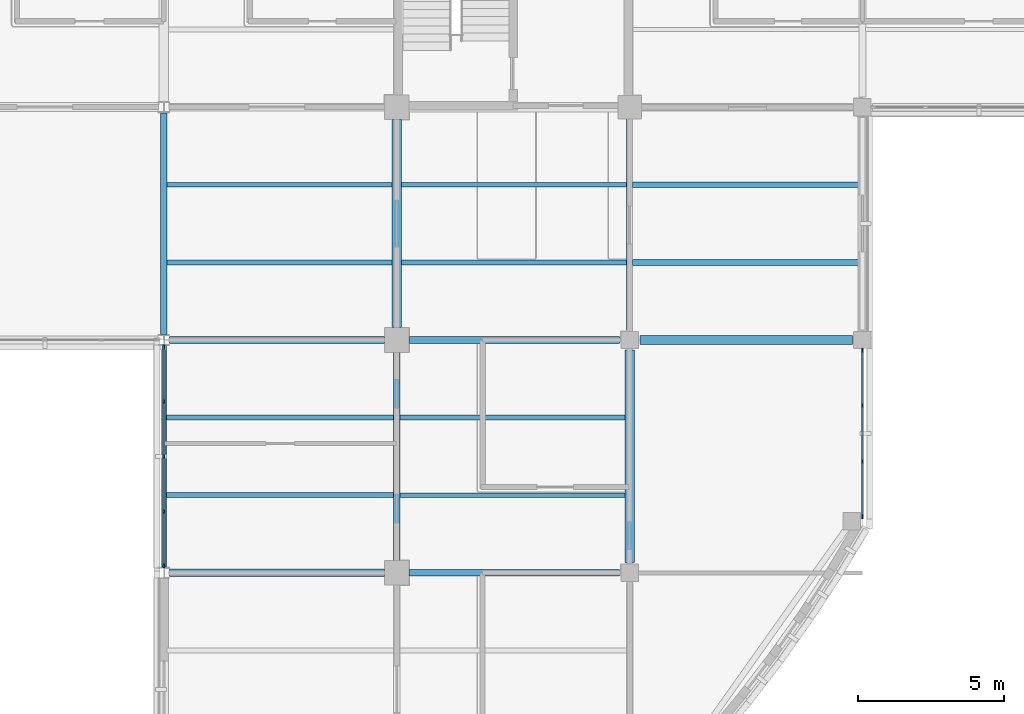
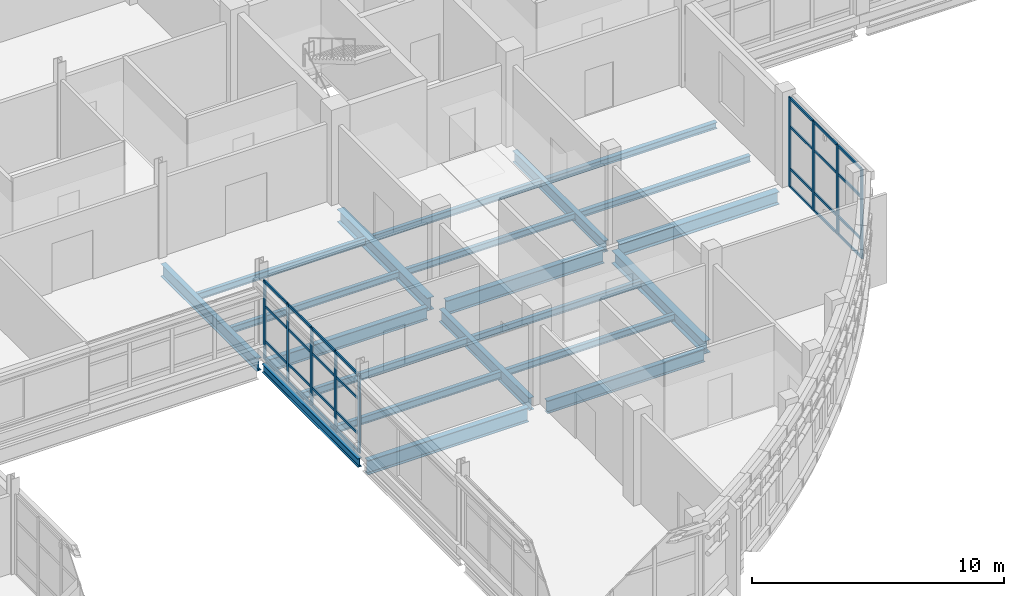
# One storey, part 28 of 121: 37 members, 21 beams, 2 elements without a shape of their own.
"""IFC4 building model written with IfcOpenShell, lengths in metres."""

from ifc_helpers import new_model, si_unit, derived_unit, direction, frame, origin, origin_2d, place, context, subcontext, project, spatial, rectangle, i_section, extrude, material, layer, layer_set, material_profile, profile_set, type_object, element, aggregate, save


model = new_model("IFC4")

# Units and contexts
model_context = context("Model", 3, precision=1e-05, world=origin(), true_north=direction((0.0, 1.0)))
body_context = subcontext(model_context, "Body", "Model", "MODEL_VIEW")
ifc_project = project(units=[si_unit("LENGTHUNIT", "METRE"), si_unit("AREAUNIT", "SQUARE_METRE"), si_unit("VOLUMEUNIT", "CUBIC_METRE"), si_unit("PLANEANGLEUNIT", "RADIAN"), si_unit("MASSUNIT", "GRAM", prefix="KILO"), derived_unit("THERMALTRANSMITTANCEUNIT", [(si_unit("MASSUNIT", "GRAM", prefix="KILO"), 1), (si_unit("TIMEUNIT", "SECOND"), -3), (si_unit("THERMODYNAMICTEMPERATUREUNIT", "KELVIN"), -1)])], contexts=[model_context])

# Site, building, storey
site_placement = place(None, origin())
site = spatial("IfcSite", under=ifc_project, at=site_placement, CompositionType="ELEMENT")
building_placement = place(site_placement, origin())
building = spatial("IfcBuilding", under=site, at=building_placement, Name="Veyamyaing Civic Hall", CompositionType="ELEMENT")
storey_placement = place(building_placement, frame((0.0, 0.0, 5.280029296875)))
storey = spatial("IfcBuildingStorey", under=building, at=storey_placement, Name="L01", CompositionType="ELEMENT", Elevation=5.280029296875)

# Beams
ifc_material_1 = material(Name="Steel ASTM A992", Category="steel")
ifc_material_profile_1 = material_profile(ifc_material_1, i_section(OverallWidth=0.256103515625, OverallDepth=0.693115234375, WebThickness=0.014404296875, FlangeThickness=0.023681640625, FilletRadius=0.013916015625, at=origin_2d()), Name="W690X170")
ifc_profile_set_1 = profile_set([ifc_material_profile_1], Name="Steel ASTM A992")
beam_type_1 = type_object("IfcBeamType", Name="B-04", PredefinedType="BEAM", material=ifc_profile_set_1)
beam_1_placement = place(storey_placement, frame((96.198974609375, 32.0, -0.591552734375), z_axis=(1.0, 0.0, 0.0), x_axis=(0.0, 1.0, 0.0)))
element("IfcBeam", 1, at=beam_1_placement, inside=storey, type_object=beam_type_1, Name="Girder B-04 L01 Grid E 13-14", PredefinedType="BEAM", context=body_context, shape_type="SweptSolid", body=[
    extrude(i_section(OverallWidth=0.256103515625, OverallDepth=0.693115234375, WebThickness=0.014404296875, FlangeThickness=0.023681640625, FilletRadius=0.013916015625, at=origin_2d()), origin(), (0.0, 0.0, 1.0), 7.3759765625),
])
ifc_material_profile_2 = material_profile(ifc_material_1, i_section(OverallWidth=0.22998046875, OverallDepth=0.616943359375, WebThickness=0.01318359375, FlangeThickness=0.022216796875, FilletRadius=0.012939453125, at=origin_2d()), Name="W610X140")
ifc_profile_set_2 = profile_set([ifc_material_profile_2], Name="Steel ASTM A992")
beam_type_2 = type_object("IfcBeamType", Name="B-05", PredefinedType="BEAM", material=ifc_profile_set_2)
beam_2_placement = place(storey_placement, frame((104.425048828125, 32.0, -0.553466796875), z_axis=(1.0, 0.0, 0.0), x_axis=(0.0, 1.0, 0.0)))
element("IfcBeam", 2, at=beam_2_placement, inside=storey, type_object=beam_type_2, Name="Girder B-05 L01 Grid E 14-15", PredefinedType="BEAM", context=body_context, shape_type="SweptSolid", body=[
    extrude(i_section(OverallWidth=0.22998046875, OverallDepth=0.616943359375, WebThickness=0.01318359375, FlangeThickness=0.022216796875, FilletRadius=0.012939453125, at=origin_2d()), origin(), (0.0, 0.0, 1.0), 7.224853515625),
])
beam_3_placement = place(storey_placement, frame((96.198974609375, 40.0, -0.553466796875), z_axis=(1.0, 0.0, 0.0), x_axis=(0.0, 1.0, 0.0)))
element("IfcBeam", 3, at=beam_3_placement, inside=storey, type_object=beam_type_2, Name="Girder B-05 L01 Grid F 13-14", PredefinedType="BEAM", context=body_context, shape_type="SweptSolid", body=[
    extrude(i_section(OverallWidth=0.22998046875, OverallDepth=0.616943359375, WebThickness=0.01318359375, FlangeThickness=0.022216796875, FilletRadius=0.012939453125, at=origin_2d()), origin(), (0.0, 0.0, 1.0), 7.3759765625),
])
ifc_material_profile_3 = material_profile(ifc_material_1, i_section(OverallWidth=0.22802734375, OverallDepth=0.60791015625, WebThickness=0.01123046875, FlangeThickness=0.017333984375, FilletRadius=0.012939453125, at=origin_2d()), Name="W610X113")
ifc_profile_set_3 = profile_set([ifc_material_profile_3], Name="Steel ASTM A992")
beam_type_3 = type_object("IfcBeamType", Name="B-06", PredefinedType="BEAM", material=ifc_profile_set_3)
beam_4_placement = place(storey_placement, frame((96.0, 40.193603515625, -0.549072265625), z_axis=(0.0, 1.0, 0.0), x_axis=(-1.0, 0.0, 0.0)))
element("IfcBeam", 4, at=beam_4_placement, inside=storey, type_object=beam_type_3, Name="Girder B-06 L01 Grid 13 F-G", PredefinedType="BEAM", context=body_context, shape_type="SweptSolid", body=[
    extrude(i_section(OverallWidth=0.22802734375, OverallDepth=0.60791015625, WebThickness=0.01123046875, FlangeThickness=0.017333984375, FilletRadius=0.012939453125, at=origin_2d()), origin(), (0.0, 0.0, 1.0), 7.61279296875),
])
beam_5_placement = place(storey_placement, frame((104.0, 32.425048828125, -0.549072265625), z_axis=(0.0, 1.0, 0.0), x_axis=(-1.0, 0.0, 0.0)))
element("IfcBeam", 5, at=beam_5_placement, inside=storey, type_object=beam_type_3, Name="Girder B-06 L01 Grid 14 E-F", PredefinedType="BEAM", context=body_context, shape_type="SweptSolid", body=[
    extrude(i_section(OverallWidth=0.22802734375, OverallDepth=0.60791015625, WebThickness=0.01123046875, FlangeThickness=0.017333984375, FilletRadius=0.012939453125, at=origin_2d()), origin(), (0.0, 0.0, 1.0), 7.14990234375),
])
ifc_material_profile_4 = material_profile(ifc_material_1, i_section(OverallWidth=0.25390625, OverallDepth=0.68408203125, WebThickness=0.012451171875, FlangeThickness=0.01904296875, FilletRadius=0.013916015625, at=origin_2d()), Name="W690X140")
ifc_profile_set_4 = profile_set([ifc_material_profile_4], Name="Steel ASTM A992")
beam_type_4 = type_object("IfcBeamType", Name="B-14", PredefinedType="BEAM", material=ifc_profile_set_4)
beam_6_placement = place(storey_placement, frame((104.425048828125, 40.0, -0.5869140625), z_axis=(1.0, 0.0, 0.0), x_axis=(0.0, 1.0, 0.0)))
element("IfcBeam", 6, at=beam_6_placement, inside=storey, type_object=beam_type_4, Name="Girder B-14 L01 Grid F 14-15", PredefinedType="BEAM", context=body_context, shape_type="SweptSolid", body=[
    extrude(i_section(OverallWidth=0.25390625, OverallDepth=0.68408203125, WebThickness=0.012451171875, FlangeThickness=0.01904296875, FilletRadius=0.013916015625, at=origin_2d()), origin(), (0.0, 0.0, 1.0), 7.224853515625),
])
ifc_material_profile_5 = material_profile(ifc_material_1, i_section(OverallWidth=0.324951171875, OverallDepth=0.615966796875, WebThickness=0.013916015625, FlangeThickness=0.021484375, FilletRadius=0.013916015625, at=origin_2d()), Name="W610X174")
ifc_profile_set_5 = profile_set([ifc_material_profile_5], Name="Steel ASTM A992")
beam_type_5 = type_object("IfcBeamType", Name="B-15", PredefinedType="BEAM", material=ifc_profile_set_5)
beam_7_placement = place(storey_placement, frame((112.35009765625, 40.0, -0.552978515625), z_axis=(1.0, 0.0, 0.0), x_axis=(0.0, 1.0, 0.0)))
element("IfcBeam", 7, at=beam_7_placement, inside=storey, type_object=beam_type_5, Name="Girder B-15 L01 Grid F 15-16", PredefinedType="BEAM", context=body_context, shape_type="SweptSolid", body=[
    extrude(i_section(OverallWidth=0.324951171875, OverallDepth=0.615966796875, WebThickness=0.013916015625, FlangeThickness=0.021484375, FilletRadius=0.013916015625, at=origin_2d()), origin(), (0.0, 0.0, 1.0), 7.2998046875),
])
beam_8_placement = place(storey_placement, frame((104.0, 40.425048828125, -0.552978515625), z_axis=(0.0, 1.0, 0.0), x_axis=(-1.0, 0.0, 0.0)))
element("IfcBeam", 8, at=beam_8_placement, inside=storey, type_object=beam_type_5, Name="Girder B-15 L01 Grid 14 F-G", PredefinedType="BEAM", context=body_context, shape_type="SweptSolid", body=[
    extrude(i_section(OverallWidth=0.324951171875, OverallDepth=0.615966796875, WebThickness=0.013916015625, FlangeThickness=0.021484375, FilletRadius=0.013916015625, at=origin_2d()), origin(), (0.0, 0.0, 1.0), 7.14990234375),
])
beam_9_placement = place(storey_placement, frame((112.0, 32.35009765625, -0.552978515625), z_axis=(0.0, 1.0, 0.0), x_axis=(-1.0, 0.0, 0.0)))
element("IfcBeam", 9, at=beam_9_placement, inside=storey, type_object=beam_type_5, Name="Girder B-15 L01 Grid 15 E-F", PredefinedType="BEAM", context=body_context, shape_type="SweptSolid", body=[
    extrude(i_section(OverallWidth=0.324951171875, OverallDepth=0.615966796875, WebThickness=0.013916015625, FlangeThickness=0.021484375, FilletRadius=0.013916015625, at=origin_2d()), origin(), (0.0, 0.0, 1.0), 7.2998046875),
])
ifc_material_profile_6 = material_profile(ifc_material_1, i_section(OverallWidth=0.214111328125, OverallDepth=0.549072265625, WebThickness=0.0146484375, FlangeThickness=0.023681640625, FilletRadius=0.011962890625, at=origin_2d()), Name="W530X138")
ifc_profile_set_6 = profile_set([ifc_material_profile_6], Name="Steel ASTM A992")
beam_type_6 = type_object("IfcBeamType", Name="B-16", PredefinedType="BEAM", material=ifc_profile_set_6)
beam_10_placement = place(storey_placement, frame((112.0, 40.35009765625, -0.51953125), z_axis=(0.0, 1.0, 0.0), x_axis=(-1.0, 0.0, 0.0)))
element("IfcBeam", 10, at=beam_10_placement, inside=storey, type_object=beam_type_6, Name="Girder B-16 L01 Grid 15 F-G", PredefinedType="BEAM", context=body_context, shape_type="SweptSolid", body=[
    extrude(i_section(OverallWidth=0.214111328125, OverallDepth=0.549072265625, WebThickness=0.0146484375, FlangeThickness=0.023681640625, FilletRadius=0.011962890625, at=origin_2d()), origin(), (0.0, 0.0, 1.0), 7.25),
])
ifc_material_profile_7 = material_profile(ifc_material_1, i_section(OverallWidth=0.180908203125, OverallDepth=0.4169921875, WebThickness=0.010986328125, FlangeThickness=0.018310546875, FilletRadius=0.010009765625, at=origin_2d()), Name="W410X85")
ifc_profile_set_7 = profile_set([ifc_material_profile_7], Name="Steel ASTM A992")
beam_type_7 = type_object("IfcBeamType", Name="B-19", PredefinedType="SPANDREL", material=ifc_profile_set_7)
beam_11_placement = place(storey_placement, frame((96.0, 32.193603515625, -0.45361328125), z_axis=(0.0, 1.0, 0.0), x_axis=(-1.0, 0.0, 0.0)))
element("IfcBeam", 11, at=beam_11_placement, inside=storey, type_object=beam_type_7, Name="Girder B-19 L01 Grid 13 E-F", PredefinedType="SPANDREL", context=body_context, shape_type="SweptSolid", body=[
    extrude(i_section(OverallWidth=0.180908203125, OverallDepth=0.4169921875, WebThickness=0.010986328125, FlangeThickness=0.018310546875, FilletRadius=0.010009765625, at=origin_2d()), origin(), (0.0, 0.0, 1.0), 7.61279296875),
])

# Curtain wall, members
ifc_material_2 = material(Name="Anodised aluminium 6063-T6", Category="aluminium")
ifc_layer = layer(ifc_material_2, 0.159912109375, Name="Anodised aluminium 6063-T6")
ifc_layer_set = layer_set([ifc_layer], Name="Anodised aluminium 6063-T6")
curtain_wall_type = type_object("IfcCurtainWallType", Name="CW-02", PredefinedType="NOTDEFINED", material=ifc_layer_set)
curtain_wall_1_placement = place(storey_placement, origin())
curtain_wall_1 = element("IfcCurtainWall", 12, at=curtain_wall_1_placement, inside=storey, type_object=curtain_wall_type, Name="Unitized curtain wall CW-02 L01 W 13.5", PredefinedType="NOTDEFINED")
ifc_material_profile_8 = material_profile(ifc_material_2, rectangle(XDim=0.06494140625, YDim=0.159912109375, at=origin_2d()), Name="ALU-MUL-65X160")
ifc_profile_set_8 = profile_set([ifc_material_profile_8], Name="Anodised aluminium 6063-T6")
member_type_1 = type_object("IfcMemberType", Name="CWM-01", PredefinedType="MULLION", material=ifc_profile_set_8)
member_1_placement = place(storey_placement, frame((96.0, 32.24853515625, 0.0), z_axis=(0.0, 0.0, 1.0), x_axis=(-1.0, 0.0, 0.0)))
member_1 = element("IfcMember", 13, at=member_1_placement, type_object=member_type_1, Name="CW-02 mullion 1", PredefinedType="MULLION", context=body_context, shape_type="SweptSolid", body=[
    extrude(rectangle(XDim=0.06494140625, YDim=0.159912109375, at=origin_2d()), origin(), (0.0, 0.0, 1.0), 3.7939453125),
])
member_2_placement = place(storey_placement, frame((96.0, 34.10791015625, 0.0), z_axis=(0.0, 0.0, 1.0), x_axis=(-1.0, 0.0, 0.0)))
member_2 = element("IfcMember", 14, at=member_2_placement, type_object=member_type_1, Name="CW-02 mullion 2", PredefinedType="MULLION", context=body_context, shape_type="SweptSolid", body=[
    extrude(rectangle(XDim=0.06494140625, YDim=0.159912109375, at=origin_2d()), origin(), (0.0, 0.0, 1.0), 3.7939453125),
])
member_3_placement = place(storey_placement, frame((96.0, 36.0, 0.0), z_axis=(0.0, 0.0, 1.0), x_axis=(-1.0, 0.0, 0.0)))
member_3 = element("IfcMember", 15, at=member_3_placement, type_object=member_type_1, Name="CW-02 mullion 3", PredefinedType="MULLION", context=body_context, shape_type="SweptSolid", body=[
    extrude(rectangle(XDim=0.06494140625, YDim=0.159912109375, at=origin_2d()), origin(), (0.0, 0.0, 1.0), 3.7939453125),
])
member_4_placement = place(storey_placement, frame((96.0, 37.89208984375, 0.0), z_axis=(0.0, 0.0, 1.0), x_axis=(-1.0, 0.0, 0.0)))
member_4 = element("IfcMember", 16, at=member_4_placement, type_object=member_type_1, Name="CW-02 mullion 4", PredefinedType="MULLION", context=body_context, shape_type="SweptSolid", body=[
    extrude(rectangle(XDim=0.06494140625, YDim=0.159912109375, at=origin_2d()), origin(), (0.0, 0.0, 1.0), 3.7939453125),
])
member_5_placement = place(storey_placement, frame((96.0, 39.75146484375, 0.0), z_axis=(0.0, 0.0, 1.0), x_axis=(-1.0, 0.0, 0.0)))
member_5 = element("IfcMember", 17, at=member_5_placement, type_object=member_type_1, Name="CW-02 mullion 5", PredefinedType="MULLION", context=body_context, shape_type="SweptSolid", body=[
    extrude(rectangle(XDim=0.06494140625, YDim=0.159912109375, at=origin_2d()), origin(), (0.0, 0.0, 1.0), 3.7939453125),
])

curtain_wall_2_placement = place(storey_placement, origin())
curtain_wall_2 = element("IfcCurtainWall", 18, at=curtain_wall_2_placement, inside=storey, type_object=curtain_wall_type, Name="Unitized curtain wall CW-02 L01 E 15.5", PredefinedType="NOTDEFINED")
member_6_placement = place(storey_placement, frame((120.0, 33.931640625, 0.0), z_axis=(0.0, 0.0, 1.0), x_axis=(-1.0, 0.0, 0.0)))
member_6 = element("IfcMember", 19, at=member_6_placement, type_object=member_type_1, Name="CW-02 mullion 1", PredefinedType="MULLION", context=body_context, shape_type="SweptSolid", body=[
    extrude(rectangle(XDim=0.06494140625, YDim=0.159912109375, at=origin_2d()), origin(), (0.0, 0.0, 1.0), 4.3349609375),
])
member_7_placement = place(storey_placement, frame((120.0, 35.82275390625, 0.0), z_axis=(0.0, 0.0, 1.0), x_axis=(-1.0, 0.0, 0.0)))
member_7 = element("IfcMember", 20, at=member_7_placement, type_object=member_type_1, Name="CW-02 mullion 2", PredefinedType="MULLION", context=body_context, shape_type="SweptSolid", body=[
    extrude(rectangle(XDim=0.06494140625, YDim=0.159912109375, at=origin_2d()), origin(), (0.0, 0.0, 1.0), 4.3349609375),
])
member_8_placement = place(storey_placement, frame((120.0, 37.746337890625, 0.0), z_axis=(0.0, 0.0, 1.0), x_axis=(-1.0, 0.0, 0.0)))
member_8 = element("IfcMember", 21, at=member_8_placement, type_object=member_type_1, Name="CW-02 mullion 3", PredefinedType="MULLION", context=body_context, shape_type="SweptSolid", body=[
    extrude(rectangle(XDim=0.06494140625, YDim=0.159912109375, at=origin_2d()), origin(), (0.0, 0.0, 1.0), 4.3349609375),
])
member_9_placement = place(storey_placement, frame((120.0, 39.637451171875, 0.0), z_axis=(0.0, 0.0, 1.0), x_axis=(-1.0, 0.0, 0.0)))
member_9 = element("IfcMember", 22, at=member_9_placement, type_object=member_type_1, Name="CW-02 mullion 4", PredefinedType="MULLION", context=body_context, shape_type="SweptSolid", body=[
    extrude(rectangle(XDim=0.06494140625, YDim=0.159912109375, at=origin_2d()), origin(), (0.0, 0.0, 1.0), 4.3349609375),
])

# Member
ifc_material_profile_9 = material_profile(ifc_material_2, rectangle(XDim=0.06494140625, YDim=0.1201171875, at=origin_2d()), Name="ALU-TRN-65X120")
ifc_profile_set_9 = profile_set([ifc_material_profile_9], Name="Anodised aluminium 6063-T6")
member_type_2 = type_object("IfcMemberType", Name="CWT-01", PredefinedType="USERDEFINED", material=ifc_profile_set_9)
member_10_placement = place(storey_placement, frame((96.0, 32.281005859375, 0.032470703125), z_axis=(0.0, 1.0, 0.0), x_axis=(-1.0, 0.0, 0.0)))
member_10 = element("IfcMember", 23, at=member_10_placement, type_object=member_type_2, Name="CW-02 transom 1.1", ObjectType="TRANSOM", PredefinedType="USERDEFINED", context=body_context, shape_type="SweptSolid", body=[
    extrude(rectangle(XDim=0.06494140625, YDim=0.1201171875, at=origin_2d()), origin(), (0.0, 0.0, 1.0), 1.79443359375),
])

member_11_placement = place(storey_placement, frame((96.0, 32.281005859375, 0.89990234375), z_axis=(0.0, 1.0, 0.0), x_axis=(-1.0, 0.0, 0.0)))
member_11 = element("IfcMember", 24, at=member_11_placement, type_object=member_type_2, Name="CW-02 transom 1.2", ObjectType="TRANSOM", PredefinedType="USERDEFINED", context=body_context, shape_type="SweptSolid", body=[
    extrude(rectangle(XDim=0.06494140625, YDim=0.1201171875, at=origin_2d()), origin(), (0.0, 0.0, 1.0), 1.79443359375),
])

member_12_placement = place(storey_placement, frame((96.0, 32.281005859375, 2.579833984375), z_axis=(0.0, 1.0, 0.0), x_axis=(-1.0, 0.0, 0.0)))
member_12 = element("IfcMember", 25, at=member_12_placement, type_object=member_type_2, Name="CW-02 transom 1.3", ObjectType="TRANSOM", PredefinedType="USERDEFINED", context=body_context, shape_type="SweptSolid", body=[
    extrude(rectangle(XDim=0.06494140625, YDim=0.1201171875, at=origin_2d()), origin(), (0.0, 0.0, 1.0), 1.79443359375),
])

member_13_placement = place(storey_placement, frame((96.0, 32.281005859375, 3.761474609375), z_axis=(0.0, 1.0, 0.0), x_axis=(-1.0, 0.0, 0.0)))
member_13 = element("IfcMember", 26, at=member_13_placement, type_object=member_type_2, Name="CW-02 transom 1.4", ObjectType="TRANSOM", PredefinedType="USERDEFINED", context=body_context, shape_type="SweptSolid", body=[
    extrude(rectangle(XDim=0.06494140625, YDim=0.1201171875, at=origin_2d()), origin(), (0.0, 0.0, 1.0), 1.79443359375),
])

member_14_placement = place(storey_placement, frame((96.0, 34.140380859375, 0.032470703125), z_axis=(0.0, 1.0, 0.0), x_axis=(-1.0, 0.0, 0.0)))
member_14 = element("IfcMember", 27, at=member_14_placement, type_object=member_type_2, Name="CW-02 transom 2.1", ObjectType="TRANSOM", PredefinedType="USERDEFINED", context=body_context, shape_type="SweptSolid", body=[
    extrude(rectangle(XDim=0.06494140625, YDim=0.1201171875, at=origin_2d()), origin(), (0.0, 0.0, 1.0), 1.8271484375),
])

member_15_placement = place(storey_placement, frame((96.0, 34.140380859375, 0.89990234375), z_axis=(0.0, 1.0, 0.0), x_axis=(-1.0, 0.0, 0.0)))
member_15 = element("IfcMember", 28, at=member_15_placement, type_object=member_type_2, Name="CW-02 transom 2.2", ObjectType="TRANSOM", PredefinedType="USERDEFINED", context=body_context, shape_type="SweptSolid", body=[
    extrude(rectangle(XDim=0.06494140625, YDim=0.1201171875, at=origin_2d()), origin(), (0.0, 0.0, 1.0), 1.8271484375),
])

member_16_placement = place(storey_placement, frame((96.0, 34.140380859375, 2.579833984375), z_axis=(0.0, 1.0, 0.0), x_axis=(-1.0, 0.0, 0.0)))
member_16 = element("IfcMember", 29, at=member_16_placement, type_object=member_type_2, Name="CW-02 transom 2.3", ObjectType="TRANSOM", PredefinedType="USERDEFINED", context=body_context, shape_type="SweptSolid", body=[
    extrude(rectangle(XDim=0.06494140625, YDim=0.1201171875, at=origin_2d()), origin(), (0.0, 0.0, 1.0), 1.8271484375),
])

member_17_placement = place(storey_placement, frame((96.0, 34.140380859375, 3.761474609375), z_axis=(0.0, 1.0, 0.0), x_axis=(-1.0, 0.0, 0.0)))
member_17 = element("IfcMember", 30, at=member_17_placement, type_object=member_type_2, Name="CW-02 transom 2.4", ObjectType="TRANSOM", PredefinedType="USERDEFINED", context=body_context, shape_type="SweptSolid", body=[
    extrude(rectangle(XDim=0.06494140625, YDim=0.1201171875, at=origin_2d()), origin(), (0.0, 0.0, 1.0), 1.8271484375),
])

member_18_placement = place(storey_placement, frame((96.0, 36.032470703125, 0.032470703125), z_axis=(0.0, 1.0, 0.0), x_axis=(-1.0, 0.0, 0.0)))
member_18 = element("IfcMember", 31, at=member_18_placement, type_object=member_type_2, Name="CW-02 transom 3.1", ObjectType="TRANSOM", PredefinedType="USERDEFINED", context=body_context, shape_type="SweptSolid", body=[
    extrude(rectangle(XDim=0.06494140625, YDim=0.1201171875, at=origin_2d()), origin(), (0.0, 0.0, 1.0), 1.8271484375),
])

member_19_placement = place(storey_placement, frame((96.0, 36.032470703125, 0.89990234375), z_axis=(0.0, 1.0, 0.0), x_axis=(-1.0, 0.0, 0.0)))
member_19 = element("IfcMember", 32, at=member_19_placement, type_object=member_type_2, Name="CW-02 transom 3.2", ObjectType="TRANSOM", PredefinedType="USERDEFINED", context=body_context, shape_type="SweptSolid", body=[
    extrude(rectangle(XDim=0.06494140625, YDim=0.1201171875, at=origin_2d()), origin(), (0.0, 0.0, 1.0), 1.8271484375),
])

member_20_placement = place(storey_placement, frame((96.0, 36.032470703125, 2.579833984375), z_axis=(0.0, 1.0, 0.0), x_axis=(-1.0, 0.0, 0.0)))
member_20 = element("IfcMember", 33, at=member_20_placement, type_object=member_type_2, Name="CW-02 transom 3.3", ObjectType="TRANSOM", PredefinedType="USERDEFINED", context=body_context, shape_type="SweptSolid", body=[
    extrude(rectangle(XDim=0.06494140625, YDim=0.1201171875, at=origin_2d()), origin(), (0.0, 0.0, 1.0), 1.8271484375),
])

member_21_placement = place(storey_placement, frame((96.0, 36.032470703125, 3.761474609375), z_axis=(0.0, 1.0, 0.0), x_axis=(-1.0, 0.0, 0.0)))
member_21 = element("IfcMember", 34, at=member_21_placement, type_object=member_type_2, Name="CW-02 transom 3.4", ObjectType="TRANSOM", PredefinedType="USERDEFINED", context=body_context, shape_type="SweptSolid", body=[
    extrude(rectangle(XDim=0.06494140625, YDim=0.1201171875, at=origin_2d()), origin(), (0.0, 0.0, 1.0), 1.8271484375),
])

member_22_placement = place(storey_placement, frame((96.0, 37.924560546875, 0.032470703125), z_axis=(0.0, 1.0, 0.0), x_axis=(-1.0, 0.0, 0.0)))
member_22 = element("IfcMember", 35, at=member_22_placement, type_object=member_type_2, Name="CW-02 transom 4.1", ObjectType="TRANSOM", PredefinedType="USERDEFINED", context=body_context, shape_type="SweptSolid", body=[
    extrude(rectangle(XDim=0.06494140625, YDim=0.1201171875, at=origin_2d()), origin(), (0.0, 0.0, 1.0), 1.79443359375),
])

member_23_placement = place(storey_placement, frame((96.0, 37.924560546875, 0.89990234375), z_axis=(0.0, 1.0, 0.0), x_axis=(-1.0, 0.0, 0.0)))
member_23 = element("IfcMember", 36, at=member_23_placement, type_object=member_type_2, Name="CW-02 transom 4.2", ObjectType="TRANSOM", PredefinedType="USERDEFINED", context=body_context, shape_type="SweptSolid", body=[
    extrude(rectangle(XDim=0.06494140625, YDim=0.1201171875, at=origin_2d()), origin(), (0.0, 0.0, 1.0), 1.79443359375),
])

member_24_placement = place(storey_placement, frame((96.0, 37.924560546875, 2.579833984375), z_axis=(0.0, 1.0, 0.0), x_axis=(-1.0, 0.0, 0.0)))
member_24 = element("IfcMember", 37, at=member_24_placement, type_object=member_type_2, Name="CW-02 transom 4.3", ObjectType="TRANSOM", PredefinedType="USERDEFINED", context=body_context, shape_type="SweptSolid", body=[
    extrude(rectangle(XDim=0.06494140625, YDim=0.1201171875, at=origin_2d()), origin(), (0.0, 0.0, 1.0), 1.79443359375),
])

member_25_placement = place(storey_placement, frame((96.0, 37.924560546875, 3.761474609375), z_axis=(0.0, 1.0, 0.0), x_axis=(-1.0, 0.0, 0.0)))
member_25 = element("IfcMember", 38, at=member_25_placement, type_object=member_type_2, Name="CW-02 transom 4.4", ObjectType="TRANSOM", PredefinedType="USERDEFINED", context=body_context, shape_type="SweptSolid", body=[
    extrude(rectangle(XDim=0.06494140625, YDim=0.1201171875, at=origin_2d()), origin(), (0.0, 0.0, 1.0), 1.79443359375),
])

aggregate(curtain_wall_1, [member_1, member_2, member_3, member_4, member_5, member_10, member_11, member_12, member_13, member_14, member_15, member_16, member_17, member_18, member_19, member_20, member_21, member_22, member_23, member_24, member_25])

member_26_placement = place(storey_placement, frame((120.0, 33.964111328125, 0.032470703125), z_axis=(0.0, 1.0, 0.0), x_axis=(-1.0, 0.0, 0.0)))
member_26 = element("IfcMember", 39, at=member_26_placement, type_object=member_type_2, Name="CW-02 transom 1.1", ObjectType="TRANSOM", PredefinedType="USERDEFINED", context=body_context, shape_type="SweptSolid", body=[
    extrude(rectangle(XDim=0.06494140625, YDim=0.1201171875, at=origin_2d()), origin(), (0.0, 0.0, 1.0), 1.826171875),
])

member_27_placement = place(storey_placement, frame((120.0, 33.964111328125, 0.89990234375), z_axis=(0.0, 1.0, 0.0), x_axis=(-1.0, 0.0, 0.0)))
member_27 = element("IfcMember", 40, at=member_27_placement, type_object=member_type_2, Name="CW-02 transom 1.2", ObjectType="TRANSOM", PredefinedType="USERDEFINED", context=body_context, shape_type="SweptSolid", body=[
    extrude(rectangle(XDim=0.06494140625, YDim=0.1201171875, at=origin_2d()), origin(), (0.0, 0.0, 1.0), 1.826171875),
])

member_28_placement = place(storey_placement, frame((120.0, 33.964111328125, 2.94775390625), z_axis=(0.0, 1.0, 0.0), x_axis=(-1.0, 0.0, 0.0)))
member_28 = element("IfcMember", 41, at=member_28_placement, type_object=member_type_2, Name="CW-02 transom 1.3", ObjectType="TRANSOM", PredefinedType="USERDEFINED", context=body_context, shape_type="SweptSolid", body=[
    extrude(rectangle(XDim=0.06494140625, YDim=0.1201171875, at=origin_2d()), origin(), (0.0, 0.0, 1.0), 1.826171875),
])

member_29_placement = place(storey_placement, frame((120.0, 33.964111328125, 4.302490234375), z_axis=(0.0, 1.0, 0.0), x_axis=(-1.0, 0.0, 0.0)))
member_29 = element("IfcMember", 42, at=member_29_placement, type_object=member_type_2, Name="CW-02 transom 1.4", ObjectType="TRANSOM", PredefinedType="USERDEFINED", context=body_context, shape_type="SweptSolid", body=[
    extrude(rectangle(XDim=0.06494140625, YDim=0.1201171875, at=origin_2d()), origin(), (0.0, 0.0, 1.0), 1.826171875),
])

member_30_placement = place(storey_placement, frame((120.0, 35.855224609375, 0.032470703125), z_axis=(0.0, 1.0, 0.0), x_axis=(-1.0, 0.0, 0.0)))
member_30 = element("IfcMember", 43, at=member_30_placement, type_object=member_type_2, Name="CW-02 transom 2.1", ObjectType="TRANSOM", PredefinedType="USERDEFINED", context=body_context, shape_type="SweptSolid", body=[
    extrude(rectangle(XDim=0.06494140625, YDim=0.1201171875, at=origin_2d()), origin(), (0.0, 0.0, 1.0), 1.858642578125),
])

member_31_placement = place(storey_placement, frame((120.0, 35.855224609375, 0.89990234375), z_axis=(0.0, 1.0, 0.0), x_axis=(-1.0, 0.0, 0.0)))
member_31 = element("IfcMember", 44, at=member_31_placement, type_object=member_type_2, Name="CW-02 transom 2.2", ObjectType="TRANSOM", PredefinedType="USERDEFINED", context=body_context, shape_type="SweptSolid", body=[
    extrude(rectangle(XDim=0.06494140625, YDim=0.1201171875, at=origin_2d()), origin(), (0.0, 0.0, 1.0), 1.858642578125),
])

member_32_placement = place(storey_placement, frame((120.0, 35.855224609375, 2.94775390625), z_axis=(0.0, 1.0, 0.0), x_axis=(-1.0, 0.0, 0.0)))
member_32 = element("IfcMember", 45, at=member_32_placement, type_object=member_type_2, Name="CW-02 transom 2.3", ObjectType="TRANSOM", PredefinedType="USERDEFINED", context=body_context, shape_type="SweptSolid", body=[
    extrude(rectangle(XDim=0.06494140625, YDim=0.1201171875, at=origin_2d()), origin(), (0.0, 0.0, 1.0), 1.858642578125),
])

member_33_placement = place(storey_placement, frame((120.0, 35.855224609375, 4.302490234375), z_axis=(0.0, 1.0, 0.0), x_axis=(-1.0, 0.0, 0.0)))
member_33 = element("IfcMember", 46, at=member_33_placement, type_object=member_type_2, Name="CW-02 transom 2.4", ObjectType="TRANSOM", PredefinedType="USERDEFINED", context=body_context, shape_type="SweptSolid", body=[
    extrude(rectangle(XDim=0.06494140625, YDim=0.1201171875, at=origin_2d()), origin(), (0.0, 0.0, 1.0), 1.858642578125),
])

member_34_placement = place(storey_placement, frame((120.0, 37.77880859375, 0.032470703125), z_axis=(0.0, 1.0, 0.0), x_axis=(-1.0, 0.0, 0.0)))
member_34 = element("IfcMember", 47, at=member_34_placement, type_object=member_type_2, Name="CW-02 transom 3.1", ObjectType="TRANSOM", PredefinedType="USERDEFINED", context=body_context, shape_type="SweptSolid", body=[
    extrude(rectangle(XDim=0.06494140625, YDim=0.1201171875, at=origin_2d()), origin(), (0.0, 0.0, 1.0), 1.826171875),
])

member_35_placement = place(storey_placement, frame((120.0, 37.77880859375, 0.89990234375), z_axis=(0.0, 1.0, 0.0), x_axis=(-1.0, 0.0, 0.0)))
member_35 = element("IfcMember", 48, at=member_35_placement, type_object=member_type_2, Name="CW-02 transom 3.2", ObjectType="TRANSOM", PredefinedType="USERDEFINED", context=body_context, shape_type="SweptSolid", body=[
    extrude(rectangle(XDim=0.06494140625, YDim=0.1201171875, at=origin_2d()), origin(), (0.0, 0.0, 1.0), 1.826171875),
])

member_36_placement = place(storey_placement, frame((120.0, 37.77880859375, 2.94775390625), z_axis=(0.0, 1.0, 0.0), x_axis=(-1.0, 0.0, 0.0)))
member_36 = element("IfcMember", 49, at=member_36_placement, type_object=member_type_2, Name="CW-02 transom 3.3", ObjectType="TRANSOM", PredefinedType="USERDEFINED", context=body_context, shape_type="SweptSolid", body=[
    extrude(rectangle(XDim=0.06494140625, YDim=0.1201171875, at=origin_2d()), origin(), (0.0, 0.0, 1.0), 1.826171875),
])

member_37_placement = place(storey_placement, frame((120.0, 37.77880859375, 4.302490234375), z_axis=(0.0, 1.0, 0.0), x_axis=(-1.0, 0.0, 0.0)))
member_37 = element("IfcMember", 50, at=member_37_placement, type_object=member_type_2, Name="CW-02 transom 3.4", ObjectType="TRANSOM", PredefinedType="USERDEFINED", context=body_context, shape_type="SweptSolid", body=[
    extrude(rectangle(XDim=0.06494140625, YDim=0.1201171875, at=origin_2d()), origin(), (0.0, 0.0, 1.0), 1.826171875),
])

aggregate(curtain_wall_2, [member_6, member_7, member_8, member_9, member_26, member_27, member_28, member_29, member_30, member_31, member_32, member_33, member_34, member_35, member_36, member_37])

# Beams
ifc_material_profile_10 = material_profile(ifc_material_1, i_section(OverallWidth=0.1708984375, OverallDepth=0.35205078125, WebThickness=0.0068359375, FlangeThickness=0.009765625, FilletRadius=0.010009765625, at=origin_2d()), Name="W360X44")
ifc_profile_set_10 = profile_set([ifc_material_profile_10], Name="Steel ASTM A992")
beam_type_8 = type_object("IfcBeamType", Name="J-03", PredefinedType="JOIST", material=ifc_profile_set_10)
for number, where, z_axis, x_axis, name in (
    (51, (96.08837890625, 34.666748046875, -0.421142578125), (1.0, 0.0, 0.0), (0.0, 1.0, 0.0), "Composite floor joist J-03 L01 13.5.1"),
    (52, (96.08837890625, 37.333251953125, -0.421142578125), (1.0, 0.0, 0.0), (0.0, 1.0, 0.0), "Composite floor joist J-03 L01 13.5.2"),
):
    element("IfcBeam", number, at=place(storey_placement, frame(where, z_axis=z_axis, x_axis=x_axis)), inside=storey, type_object=beam_type_8, Name=name, PredefinedType="JOIST", context=body_context, shape_type="SweptSolid", body=[
        extrude(i_section(OverallWidth=0.1708984375, OverallDepth=0.35205078125, WebThickness=0.0068359375, FlangeThickness=0.009765625, FilletRadius=0.010009765625, at=origin_2d()), origin(), (0.0, 0.0, 1.0), 7.799560546875),
    ])
ifc_material_profile_11 = material_profile(ifc_material_1, i_section(OverallWidth=0.1669921875, OverallDepth=0.318115234375, WebThickness=0.007568359375, FlangeThickness=0.01318359375, FilletRadius=0.010009765625, at=origin_2d()), Name="W310X52")
ifc_profile_set_11 = profile_set([ifc_material_profile_11], Name="Steel ASTM A992")
beam_type_9 = type_object("IfcBeamType", Name="J-04", PredefinedType="JOIST", material=ifc_profile_set_11)
for number, where, z_axis, x_axis, name in (
    (53, (96.112060546875, 42.666748046875, -0.404052734375), (1.0, 0.0, 0.0), (0.0, 1.0, 0.0), "Composite floor joist J-04 L01 13.6.1"),
    (54, (96.112060546875, 45.333251953125, -0.404052734375), (1.0, 0.0, 0.0), (0.0, 1.0, 0.0), "Composite floor joist J-04 L01 13.6.2"),
    (55, (104.112060546875, 34.666748046875, -0.404052734375), (1.0, 0.0, 0.0), (0.0, 1.0, 0.0), "Composite floor joist J-04 L01 14.5.1"),
    (56, (104.112060546875, 37.333251953125, -0.404052734375), (1.0, 0.0, 0.0), (0.0, 1.0, 0.0), "Composite floor joist J-04 L01 14.5.2"),
):
    element("IfcBeam", number, at=place(storey_placement, frame(where, z_axis=z_axis, x_axis=x_axis)), inside=storey, type_object=beam_type_9, Name=name, PredefinedType="JOIST", context=body_context, shape_type="SweptSolid", body=[
        extrude(i_section(OverallWidth=0.1669921875, OverallDepth=0.318115234375, WebThickness=0.007568359375, FlangeThickness=0.01318359375, FilletRadius=0.010009765625, at=origin_2d()), origin(), (0.0, 0.0, 1.0), 7.7275390625),
    ])
ifc_material_profile_12 = material_profile(ifc_material_1, i_section(OverallWidth=0.1650390625, OverallDepth=0.31005859375, WebThickness=0.005859375, FlangeThickness=0.009765625, FilletRadius=0.010009765625, at=origin_2d()), Name="W310X39")
ifc_profile_set_12 = profile_set([ifc_material_profile_12], Name="Steel ASTM A992")
beam_type_10 = type_object("IfcBeamType", Name="J-05", PredefinedType="JOIST", material=ifc_profile_set_12)
for number, where, z_axis, x_axis, name in (
    (57, (104.160400390625, 42.666748046875, -0.400146484375), (1.0, 0.0, 0.0), (0.0, 1.0, 0.0), "Composite floor joist J-05 L01 14.6.1"),
    (58, (104.160400390625, 45.333251953125, -0.400146484375), (1.0, 0.0, 0.0), (0.0, 1.0, 0.0), "Composite floor joist J-05 L01 14.6.2"),
):
    element("IfcBeam", number, at=place(storey_placement, frame(where, z_axis=z_axis, x_axis=x_axis)), inside=storey, type_object=beam_type_10, Name=name, PredefinedType="JOIST", context=body_context, shape_type="SweptSolid", body=[
        extrude(i_section(OverallWidth=0.1650390625, OverallDepth=0.31005859375, WebThickness=0.005859375, FlangeThickness=0.009765625, FilletRadius=0.010009765625, at=origin_2d()), origin(), (0.0, 0.0, 1.0), 7.734619140625),
    ])
ifc_material_profile_13 = material_profile(ifc_material_1, i_section(OverallWidth=0.2041015625, OverallDepth=0.305908203125, WebThickness=0.008544921875, FlangeThickness=0.0146484375, FilletRadius=0.010009765625, at=origin_2d()), Name="W310X67")
ifc_profile_set_13 = profile_set([ifc_material_profile_13], Name="Steel ASTM A992")
beam_type_11 = type_object("IfcBeamType", Name="J-06", PredefinedType="JOIST", material=ifc_profile_set_13)
for number, where, z_axis, x_axis, name in (
    (59, (112.10498046875, 42.666748046875, -0.39794921875), (1.0, 0.0, 0.0), (0.0, 1.0, 0.0), "Composite floor joist J-06 L01 15.6.1"),
    (60, (112.10498046875, 45.333251953125, -0.39794921875), (1.0, 0.0, 0.0), (0.0, 1.0, 0.0), "Composite floor joist J-06 L01 15.6.2"),
):
    element("IfcBeam", number, at=place(storey_placement, frame(where, z_axis=z_axis, x_axis=x_axis)), inside=storey, type_object=beam_type_11, Name=name, PredefinedType="JOIST", context=body_context, shape_type="SweptSolid", body=[
        extrude(i_section(OverallWidth=0.2041015625, OverallDepth=0.305908203125, WebThickness=0.008544921875, FlangeThickness=0.0146484375, FilletRadius=0.010009765625, at=origin_2d()), origin(), (0.0, 0.0, 1.0), 7.806640625),
    ])

save(model, "model.ifc")
